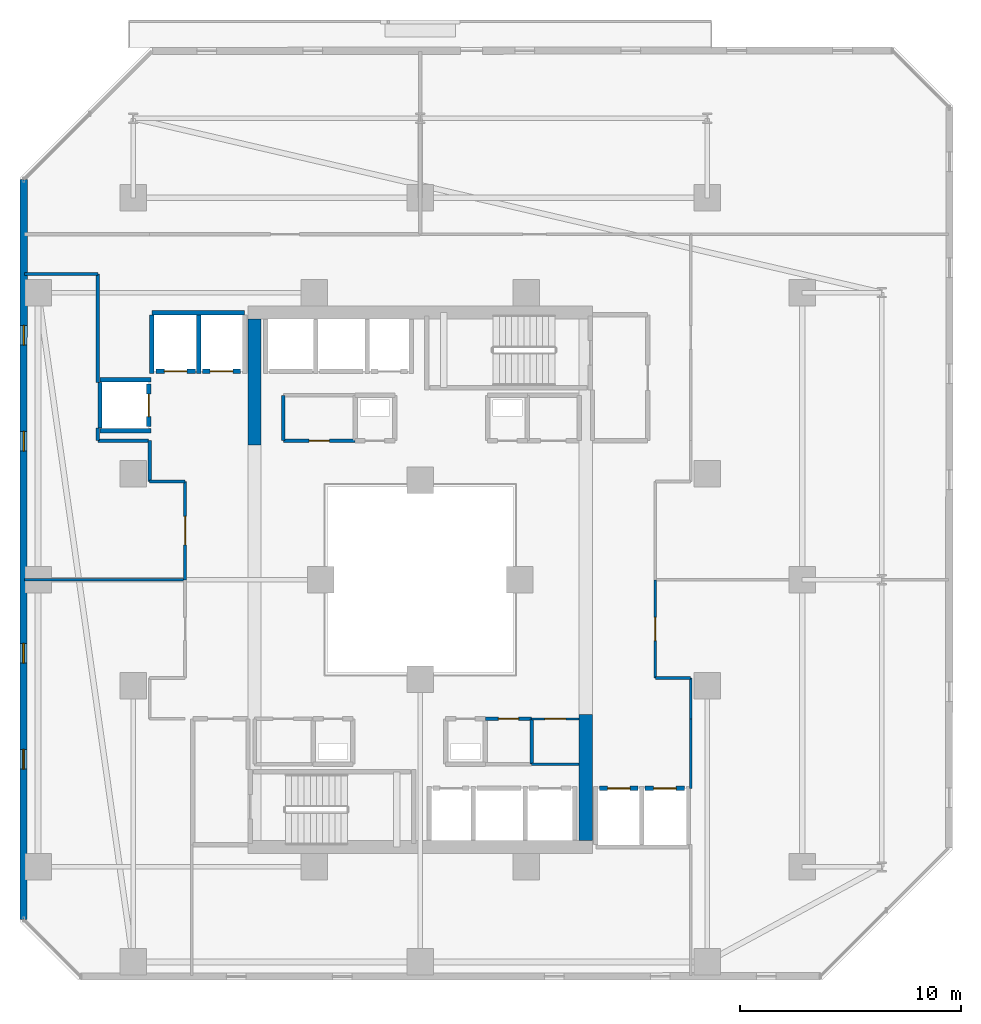
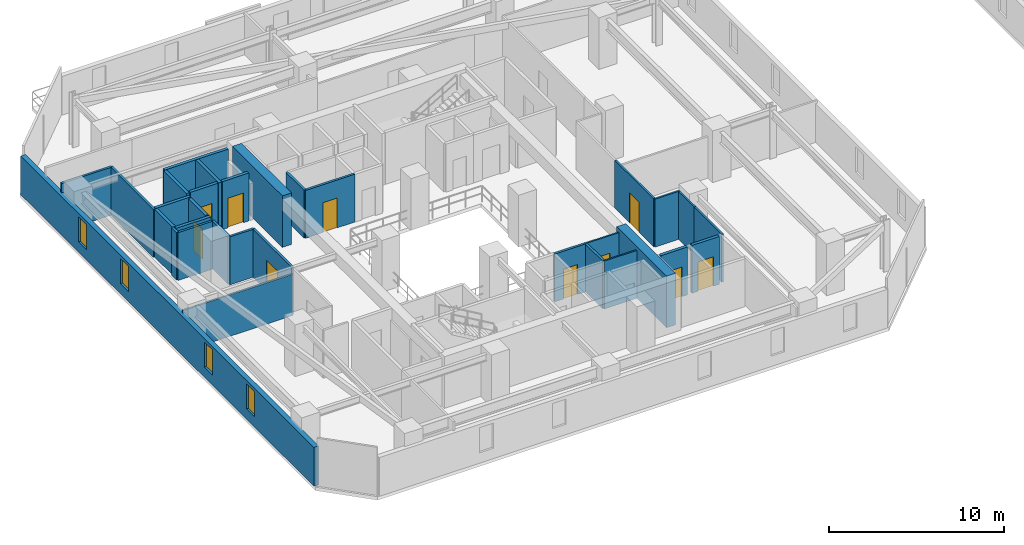
# One storey, part 17 of 30: 32 walls, 10 doors, 4 windows, 14 openings.
"""IFC4 building model written with IfcOpenShell, lengths in metres."""

from ifc_helpers import new_model, si_unit, direction, frame, frame_2d, origin, place, context, subcontext, project, spatial, rectangle, extrude, material, layer, layer_set, type_object, element, fill, save


model = new_model("IFC4")

# Units and contexts
model_context = context("Model", 3, precision=1e-05, world=origin(), true_north=direction((0.0, 1.0)))
body_context = subcontext(model_context, "Body", "Model", "MODEL_VIEW")
ifc_project = project(units=[si_unit("LENGTHUNIT", "METRE"), si_unit("AREAUNIT", "SQUARE_METRE"), si_unit("VOLUMEUNIT", "CUBIC_METRE"), si_unit("PLANEANGLEUNIT", "RADIAN"), si_unit("MASSUNIT", "GRAM", prefix="KILO")], contexts=[model_context])

# Site, building, storey
site_placement = place(None, origin())
site = spatial("IfcSite", under=ifc_project, at=site_placement, CompositionType="ELEMENT")
building_placement = place(site_placement, origin())
building = spatial("IfcBuilding", under=site, at=building_placement, Name="Thornwick Lancets Civic Towers", CompositionType="ELEMENT")
storey_placement = place(building_placement, frame((0.0, 0.0, 80.10009765625)))
storey = spatial("IfcBuildingStorey", under=building, at=storey_placement, Name="L20", CompositionType="ELEMENT", Elevation=80.10009765625)

# Wall, opening, door
ifc_material_1 = material(Name="Concrete blockwork C40/50", Category="masonry")
ifc_layer_1 = layer(ifc_material_1, 0.199951171875, Name="Concrete blockwork C40/50")
ifc_layer_set_1 = layer_set([ifc_layer_1], Name="Concrete blockwork C40/50")
wall_type_1 = type_object("IfcWallType", Name="WALL_COMP_200", PredefinedType="STANDARD", material=ifc_layer_set_1)
wall_1_placement = place(storey_placement, frame((33.6298828125, 17.550048828125, 0.0), z_axis=(0.0, 0.0, 1.0), x_axis=(1.0, 0.0, 0.0)))
wall_1 = element("IfcWall", 1, at=wall_1_placement, inside=storey, type_object=wall_type_1, Name="L20 Hoistway Front Wall PL-AL2", PredefinedType="STANDARD", context=body_context, shape_type="SweptSolid", body=[
    extrude(rectangle(XDim=1.740234375, YDim=0.199951171875, at=frame_2d((0.8701171875, 0.0))), origin(), (0.0, 0.0, 1.0), 3.33984375),
])
opening_1_placement = place(wall_1_placement, frame((0.360107421875, 0.0, 0.0)))
opening_1 = element("IfcOpeningElement", 2, at=opening_1_placement, cuts=wall_1, Name="Opening LD-PL-AL2", PredefinedType="OPENING", context=body_context, shape_type="SweptSolid", body=[
    extrude(rectangle(XDim=1.02001953125, YDim=2.06005859375, at=frame_2d((0.510009765625, 1.030029296875))), frame((0.0, 0.10986328125, 0.0), z_axis=(0.0, -1.0, 0.0), x_axis=(1.0, 0.0, 0.0)), (0.0, 0.0, 1.0), 0.219970703125),
])
ifc_material_2 = material(Name="Brushed bronze stainless steel", Category="steel")
door_type_1 = type_object("IfcDoorType", Name="DOOR_LIFT_SLIDE", OperationType="SLIDING_TO_LEFT", PredefinedType="DOOR", material=ifc_material_2)
door_1_placement = place(opening_1_placement, origin())
door_1 = element("IfcDoor", 3, at=door_1_placement, inside=storey, type_object=door_type_1, Name="L20 Sliding Lift Landing Door LD-PL-AL2", OperationType="SLIDING_TO_LEFT", OverallHeight=2.06005859375, OverallWidth=1.02001953125, PredefinedType="DOOR", context=body_context, shape_type="SweptSolid", body=[
    extrude(rectangle(XDim=1.02001953125, YDim=2.06005859375, at=frame_2d((0.510009765625, 1.030029296875))), frame((0.0, 0.02490234375, 0.0), z_axis=(0.0, -1.0, 0.0), x_axis=(1.0, 0.0, 0.0)), (0.0, 0.0, 1.0), 0.050048828125),
])
fill(opening_1, door_1)

wall_2_placement = place(storey_placement, frame((35.679931640625, 17.550048828125, 0.0), z_axis=(0.0, 0.0, 1.0), x_axis=(1.0, 0.0, 0.0)))
wall_2 = element("IfcWall", 4, at=wall_2_placement, inside=storey, type_object=wall_type_1, Name="L20 Hoistway Front Wall PL-AL3", PredefinedType="STANDARD", context=body_context, shape_type="SweptSolid", body=[
    extrude(rectangle(XDim=1.7900390625, YDim=0.199951171875, at=frame_2d((0.89501953125, 0.0))), origin(), (0.0, 0.0, 1.0), 3.33984375),
])
opening_2_placement = place(wall_2_placement, frame((0.385009765625, 0.0, 0.0)))
opening_2 = element("IfcOpeningElement", 5, at=opening_2_placement, cuts=wall_2, Name="Opening LD-PL-AL3", PredefinedType="OPENING", context=body_context, shape_type="SweptSolid", body=[
    extrude(rectangle(XDim=1.02001953125, YDim=2.06005859375, at=frame_2d((0.510009765625, 1.030029296875))), frame((0.0, 0.10986328125, 0.0), z_axis=(0.0, -1.0, 0.0), x_axis=(1.0, 0.0, 0.0)), (0.0, 0.0, 1.0), 0.219970703125),
])
door_2_placement = place(opening_2_placement, origin())
door_2 = element("IfcDoor", 6, at=door_2_placement, inside=storey, type_object=door_type_1, Name="L20 Sliding Lift Landing Door LD-PL-AL3", OperationType="SLIDING_TO_LEFT", OverallHeight=2.06005859375, OverallWidth=1.02001953125, PredefinedType="DOOR", context=body_context, shape_type="SweptSolid", body=[
    extrude(rectangle(XDim=1.02001953125, YDim=2.06005859375, at=frame_2d((0.510009765625, 1.030029296875))), frame((0.0, 0.02490234375, 0.0), z_axis=(0.0, -1.0, 0.0), x_axis=(1.0, 0.0, 0.0)), (0.0, 0.0, 1.0), 0.050048828125),
])
fill(opening_2, door_2)

wall_3_placement = place(storey_placement, frame((17.3701171875, 36.449951171875, 0.0), z_axis=(0.0, 0.0, 1.0), x_axis=(-1.0, 0.0, 0.0)))
wall_3 = element("IfcWall", 7, at=wall_3_placement, inside=storey, type_object=wall_type_1, Name="L20 Hoistway Front Wall PL-AM1", PredefinedType="STANDARD", context=body_context, shape_type="SweptSolid", body=[
    extrude(rectangle(XDim=1.740234375, YDim=0.199951171875, at=frame_2d((0.8701171875, 0.0))), origin(), (0.0, 0.0, 1.0), 3.33984375),
])
opening_3_placement = place(wall_3_placement, frame((0.360107421875, 0.0, 0.0)))
opening_3 = element("IfcOpeningElement", 8, at=opening_3_placement, cuts=wall_3, Name="Opening LD-PL-AM1", PredefinedType="OPENING", context=body_context, shape_type="SweptSolid", body=[
    extrude(rectangle(XDim=1.02001953125, YDim=2.06005859375, at=frame_2d((0.510009765625, 1.030029296875))), frame((0.0, 0.10986328125, 0.0), z_axis=(0.0, -1.0, 0.0), x_axis=(1.0, 0.0, 0.0)), (0.0, 0.0, 1.0), 0.219970703125),
])
door_3_placement = place(opening_3_placement, origin())
door_3 = element("IfcDoor", 9, at=door_3_placement, inside=storey, type_object=door_type_1, Name="L20 Sliding Lift Landing Door LD-PL-AM1", OperationType="SLIDING_TO_LEFT", OverallHeight=2.06005859375, OverallWidth=1.02001953125, PredefinedType="DOOR", context=body_context, shape_type="SweptSolid", body=[
    extrude(rectangle(XDim=1.02001953125, YDim=2.06005859375, at=frame_2d((0.510009765625, 1.030029296875))), frame((0.0, 0.02490234375, 0.0), z_axis=(0.0, -1.0, 0.0), x_axis=(1.0, 0.0, 0.0)), (0.0, 0.0, 1.0), 0.050048828125),
])
fill(opening_3, door_3)

wall_4_placement = place(storey_placement, frame((15.320068359375, 36.449951171875, 0.0), z_axis=(0.0, 0.0, 1.0), x_axis=(-1.0, 0.0, 0.0)))
wall_4 = element("IfcWall", 10, at=wall_4_placement, inside=storey, type_object=wall_type_1, Name="L20 Hoistway Front Wall PL-AM2", PredefinedType="STANDARD", context=body_context, shape_type="SweptSolid", body=[
    extrude(rectangle(XDim=1.7900390625, YDim=0.199951171875, at=frame_2d((0.89501953125, 0.0))), origin(), (0.0, 0.0, 1.0), 3.33984375),
])
opening_4_placement = place(wall_4_placement, frame((0.385009765625, 0.0, 0.0)))
opening_4 = element("IfcOpeningElement", 11, at=opening_4_placement, cuts=wall_4, Name="Opening LD-PL-AM2", PredefinedType="OPENING", context=body_context, shape_type="SweptSolid", body=[
    extrude(rectangle(XDim=1.02001953125, YDim=2.06005859375, at=frame_2d((0.510009765625, 1.030029296875))), frame((0.0, 0.10986328125, 0.0), z_axis=(0.0, -1.0, 0.0), x_axis=(1.0, 0.0, 0.0)), (0.0, 0.0, 1.0), 0.219970703125),
])
door_4_placement = place(opening_4_placement, origin())
door_4 = element("IfcDoor", 12, at=door_4_placement, inside=storey, type_object=door_type_1, Name="L20 Sliding Lift Landing Door LD-PL-AM2", OperationType="SLIDING_TO_LEFT", OverallHeight=2.06005859375, OverallWidth=1.02001953125, PredefinedType="DOOR", context=body_context, shape_type="SweptSolid", body=[
    extrude(rectangle(XDim=1.02001953125, YDim=2.06005859375, at=frame_2d((0.510009765625, 1.030029296875))), frame((0.0, 0.02490234375, 0.0), z_axis=(0.0, -1.0, 0.0), x_axis=(1.0, 0.0, 0.0)), (0.0, 0.0, 1.0), 0.050048828125),
])
fill(opening_4, door_4)

wall_5_placement = place(storey_placement, frame((13.199951171875, 33.929931640625, 0.0), z_axis=(0.0, 0.0, 1.0), x_axis=(0.0, 1.0, 0.0)))
wall_5 = element("IfcWall", 13, at=wall_5_placement, inside=storey, type_object=wall_type_1, Name="L20 Hoistway Front Wall PL-AM3", PredefinedType="STANDARD", context=body_context, shape_type="SweptSolid", body=[
    extrude(rectangle(XDim=1.940185546875, YDim=0.199951171875, at=frame_2d((0.97021484375, 0.0))), origin(), (0.0, 0.0, 1.0), 3.33984375),
])
opening_5_placement = place(wall_5_placement, frame((0.4599609375, 0.0, 0.0)))
opening_5 = element("IfcOpeningElement", 14, at=opening_5_placement, cuts=wall_5, Name="Opening LD-PL-AM3", PredefinedType="OPENING", context=body_context, shape_type="SweptSolid", body=[
    extrude(rectangle(XDim=1.02001953125, YDim=2.06005859375, at=frame_2d((0.510009765625, 1.030029296875))), frame((0.0, 0.10986328125, 0.0), z_axis=(0.0, -1.0, 0.0), x_axis=(1.0, 0.0, 0.0)), (0.0, 0.0, 1.0), 0.219970703125),
])
door_5_placement = place(opening_5_placement, origin())
door_5 = element("IfcDoor", 15, at=door_5_placement, inside=storey, type_object=door_type_1, Name="L20 Sliding Lift Landing Door LD-PL-AM3", OperationType="SLIDING_TO_LEFT", OverallHeight=2.06005859375, OverallWidth=1.02001953125, PredefinedType="DOOR", context=body_context, shape_type="SweptSolid", body=[
    extrude(rectangle(XDim=1.02001953125, YDim=2.06005859375, at=frame_2d((0.510009765625, 1.030029296875))), frame((0.0, 0.02490234375, 0.0), z_axis=(0.0, -1.0, 0.0), x_axis=(1.0, 0.0, 0.0)), (0.0, 0.0, 1.0), 0.050048828125),
])
fill(opening_5, door_5)

# Walls
wall_6_placement = place(storey_placement, frame((13.35205078125, 39.10009765625, 0.0), z_axis=(0.0, 0.0, 1.0), x_axis=(1.0, 0.0, 0.0)))
element("IfcWall", 16, at=wall_6_placement, inside=storey, type_object=wall_type_1, Name="L20 Hoistway Shaft Wall PL-AM1 N", PredefinedType="STANDARD", context=body_context, shape_type="SweptSolid", body=[
    extrude(rectangle(XDim=4.196044921875, YDim=0.199951171875, at=frame_2d((2.09814453125, 0.0))), origin(), (0.0, 0.0, 1.0), 3.33984375),
])
for number, where, z_axis, x_axis, name in (
    (17, (15.47509765625, 36.35205078125, 0.0), (0.0, 0.0, 1.0), (0.0, 1.0, 0.0), "L20 Hoistway Shaft Wall PL-AM1 W"),
    (18, (13.35009765625, 36.35205078125, 0.0), (0.0, 0.0, 1.0), (0.0, 1.0, 0.0), "L20 Hoistway Shaft Wall PL-AM2 W"),
):
    element("IfcWall", number, at=place(storey_placement, frame(where, z_axis=z_axis, x_axis=x_axis)), inside=storey, type_object=wall_type_1, Name=name, PredefinedType="STANDARD", context=body_context, shape_type="SweptSolid", body=[
        extrude(rectangle(XDim=2.635986328125, YDim=0.199951171875, at=frame_2d((1.31787109375, 0.0))), origin(), (0.0, 0.0, 1.0), 3.33984375),
    ])
for number, where, z_axis, x_axis, name in (
    (19, (11.001953125, 36.050048828125, 0.0), (0.0, 0.0, 1.0), (1.0, 0.0, 0.0), "L20 Hoistway Shaft Wall PL-AM3 N"),
    (20, (11.001953125, 33.75, 0.0), (0.0, 0.0, 1.0), (1.0, 0.0, 0.0), "L20 Hoistway Shaft Wall PL-AM3 S"),
):
    element("IfcWall", number, at=place(storey_placement, frame(where, z_axis=z_axis, x_axis=x_axis)), inside=storey, type_object=wall_type_1, Name=name, PredefinedType="STANDARD", context=body_context, shape_type="SweptSolid", body=[
        extrude(rectangle(XDim=2.296142578125, YDim=0.199951171875, at=frame_2d((1.14794921875, 0.0))), origin(), (0.0, 0.0, 1.0), 3.33984375),
    ])
wall_7_placement = place(storey_placement, frame((11.0, 33.862060546875, 0.0), z_axis=(0.0, 0.0, 1.0), x_axis=(0.0, 1.0, 0.0)))
element("IfcWall", 21, at=wall_7_placement, inside=storey, type_object=wall_type_1, Name="L20 Hoistway Shaft Wall PL-AM3 W", PredefinedType="STANDARD", context=body_context, shape_type="SweptSolid", body=[
    extrude(rectangle(XDim=2.075927734375, YDim=0.199951171875, at=frame_2d((1.0380859375, 0.0))), origin(), (0.0, 0.0, 1.0), 3.33984375),
])
ifc_material_3 = material(Name="Concrete C60/75", Category="concrete")
ifc_layer_2 = layer(ifc_material_3, 0.60009765625, Name="Concrete C60/75")
ifc_layer_set_2 = layer_set([ifc_layer_2], Name="Concrete C60/75")
wall_type_2 = type_object("IfcWallType", Name="WALL_CORE_600", PredefinedType="SHEAR", material=ifc_layer_set_2)
for number, where, z_axis, x_axis, name in (
    (22, (33.0, 15.199951171875, 0.0), (0.0, 0.0, 1.0), (0.0, 1.0, 0.0), "L20 Split Core A1 Shear Wall E"),
    (23, (18.0, 33.10009765625, 0.0), (0.0, 0.0, 1.0), (0.0, 1.0, 0.0), "L20 Split Core A2 Shear Wall W"),
):
    element("IfcWall", number, at=place(storey_placement, frame(where, z_axis=z_axis, x_axis=x_axis)), inside=storey, type_object=wall_type_2, Name=name, PredefinedType="SHEAR", context=body_context, shape_type="SweptSolid", body=[
        extrude(rectangle(XDim=5.699951171875, YDim=0.60009765625, at=frame_2d((2.85009765625, 0.0))), origin(), (0.0, 0.0, 1.0), 3.599853515625),
    ])

# Wall, openings, windows
ifc_material_4 = material(Name="Insulated buff terracotta rainscreen on concrete C40/50", Category="masonry")
ifc_layer_3 = layer(ifc_material_4, 0.320068359375, Name="Insulated buff terracotta rainscreen on concrete C40/50")
ifc_layer_set_3 = layer_set([ifc_layer_3], Name="Insulated buff terracotta rainscreen on concrete C40/50")
wall_type_3 = type_object("IfcWallType", Name="WALL_EXT_TERRA_320", PredefinedType="STANDARD", material=ifc_layer_set_3)
wall_8_placement = place(storey_placement, frame((7.5458984375, 45.12158203125, 0.0), z_axis=(0.0, 0.0, 1.0), x_axis=(-0.000313347115, -0.999999950907, 0.0)))
wall_8 = element("IfcWall", 24, at=wall_8_placement, inside=storey, type_object=wall_type_3, Name="L20 Tower A Terracotta Facade Wall E6", PredefinedType="STANDARD", context=body_context, shape_type="SweptSolid", body=[
    extrude(rectangle(XDim=33.5029296875, YDim=0.320068359375, at=frame_2d((16.75146484375, 0.0))), origin(), (0.0, 0.0, 1.0), 2.699951171875),
])
opening_6_placement = place(wall_8_placement, frame((6.60009765625, 0.0, 0.719970703125)))
opening_6 = element("IfcOpeningElement", 25, at=opening_6_placement, cuts=wall_8, Name="Opening WL-01", PredefinedType="OPENING", context=body_context, shape_type="SweptSolid", body=[
    extrude(rectangle(XDim=0.89990234375, YDim=1.75, at=frame_2d((0.449951171875, 0.875))), frame((0.0, 0.169921875, 0.0), z_axis=(0.0, -1.0, 0.0), x_axis=(1.0, 0.0, 0.0)), (0.0, 0.0, 1.0), 0.340087890625),
])
opening_7_placement = place(wall_8_placement, frame((11.39990234375, 0.0, 0.719970703125)))
opening_7 = element("IfcOpeningElement", 26, at=opening_7_placement, cuts=wall_8, Name="Opening WL-01", PredefinedType="OPENING", context=body_context, shape_type="SweptSolid", body=[
    extrude(rectangle(XDim=0.89990234375, YDim=1.75, at=frame_2d((0.449951171875, 0.875))), frame((0.0, 0.169921875, 0.0), z_axis=(0.0, -1.0, 0.0), x_axis=(1.0, 0.0, 0.0)), (0.0, 0.0, 1.0), 0.340087890625),
])
opening_8_placement = place(wall_8_placement, frame((21.0, 0.0, 0.719970703125)))
opening_8 = element("IfcOpeningElement", 27, at=opening_8_placement, cuts=wall_8, Name="Opening WL-01", PredefinedType="OPENING", context=body_context, shape_type="SweptSolid", body=[
    extrude(rectangle(XDim=0.89990234375, YDim=1.75, at=frame_2d((0.449951171875, 0.875))), frame((0.0, 0.169921875, 0.0), z_axis=(0.0, -1.0, 0.0), x_axis=(1.0, 0.0, 0.0)), (0.0, 0.0, 1.0), 0.340087890625),
])
opening_9_placement = place(wall_8_placement, frame((25.800048828125, 0.0, 0.719970703125)))
opening_9 = element("IfcOpeningElement", 28, at=opening_9_placement, cuts=wall_8, Name="Opening WL-01", PredefinedType="OPENING", context=body_context, shape_type="SweptSolid", body=[
    extrude(rectangle(XDim=0.89990234375, YDim=1.75, at=frame_2d((0.449951171875, 0.875))), frame((0.0, 0.169921875, 0.0), z_axis=(0.0, -1.0, 0.0), x_axis=(1.0, 0.0, 0.0)), (0.0, 0.0, 1.0), 0.340087890625),
])
ifc_material_5 = material(Name="Clear low-e double glazing in bronze frame", Category="glass")
window_type = type_object("IfcWindowType", Name="WIN_LANCET_900", PartitioningType="SINGLE_PANEL", PredefinedType="WINDOW", material=ifc_material_5)
window_1_placement = place(opening_6_placement, origin())
window_1 = element("IfcWindow", 29, at=window_1_placement, inside=storey, type_object=window_type, Name="L20 Tower A Staggered Lancet Window E6-1", OverallHeight=1.75, OverallWidth=0.89990234375, PartitioningType="SINGLE_PANEL", PredefinedType="WINDOW", context=body_context, shape_type="SweptSolid", body=[
    extrude(rectangle(XDim=0.89990234375, YDim=1.75, at=frame_2d((0.449951171875, 0.875))), frame((0.0, 0.030029296875, 0.0), z_axis=(0.0, -1.0, 0.0), x_axis=(1.0, 0.0, 0.0)), (0.0, 0.0, 1.0), 0.06005859375),
])
fill(opening_6, window_1)
window_2_placement = place(opening_7_placement, origin())
window_2 = element("IfcWindow", 30, at=window_2_placement, inside=storey, type_object=window_type, Name="L20 Tower A Staggered Lancet Window E6-2", OverallHeight=1.75, OverallWidth=0.89990234375, PartitioningType="SINGLE_PANEL", PredefinedType="WINDOW", context=body_context, shape_type="SweptSolid", body=[
    extrude(rectangle(XDim=0.89990234375, YDim=1.75, at=frame_2d((0.449951171875, 0.875))), frame((0.0, 0.030029296875, 0.0), z_axis=(0.0, -1.0, 0.0), x_axis=(1.0, 0.0, 0.0)), (0.0, 0.0, 1.0), 0.06005859375),
])
fill(opening_7, window_2)
window_3_placement = place(opening_8_placement, origin())
window_3 = element("IfcWindow", 31, at=window_3_placement, inside=storey, type_object=window_type, Name="L20 Tower A Staggered Lancet Window E6-3", OverallHeight=1.75, OverallWidth=0.89990234375, PartitioningType="SINGLE_PANEL", PredefinedType="WINDOW", context=body_context, shape_type="SweptSolid", body=[
    extrude(rectangle(XDim=0.89990234375, YDim=1.75, at=frame_2d((0.449951171875, 0.875))), frame((0.0, 0.030029296875, 0.0), z_axis=(0.0, -1.0, 0.0), x_axis=(1.0, 0.0, 0.0)), (0.0, 0.0, 1.0), 0.06005859375),
])
fill(opening_8, window_3)
window_4_placement = place(opening_9_placement, origin())
window_4 = element("IfcWindow", 32, at=window_4_placement, inside=storey, type_object=window_type, Name="L20 Tower A Staggered Lancet Window E6-4", OverallHeight=1.75, OverallWidth=0.89990234375, PartitioningType="SINGLE_PANEL", PredefinedType="WINDOW", context=body_context, shape_type="SweptSolid", body=[
    extrude(rectangle(XDim=0.89990234375, YDim=1.75, at=frame_2d((0.449951171875, 0.875))), frame((0.0, 0.030029296875, 0.0), z_axis=(0.0, -1.0, 0.0), x_axis=(1.0, 0.0, 0.0)), (0.0, 0.0, 1.0), 0.06005859375),
])
fill(opening_9, window_4)

# Wall
ifc_material_6 = material(Name="Lightweight cellular office partition")
ifc_layer_4 = layer(ifc_material_6, 0.10009765625, Name="Lightweight cellular office partition")
ifc_layer_set_4 = layer_set([ifc_layer_4], Name="Lightweight cellular office partition")
wall_type_4 = type_object("IfcWallType", Name="WALL_PART_100", PredefinedType="PARTITIONING", material=ifc_layer_set_4)
wall_9_placement = place(storey_placement, frame((32.699951171875, 18.64990234375, 0.0), z_axis=(0.0, 0.0, 1.0), x_axis=(-1.0, 0.0, 0.0)))
element("IfcWall", 33, at=wall_9_placement, inside=storey, type_object=wall_type_4, Name="L20 Partition L20-A-CLN E2", PredefinedType="PARTITIONING", context=body_context, shape_type="SweptSolid", body=[
    extrude(rectangle(XDim=2.14990234375, YDim=0.10009765625, at=frame_2d((1.074951171875, 0.0))), origin(), (0.0, 0.0, 1.0), 3.33984375),
])

# Wall, opening, door
wall_10_placement = place(storey_placement, frame((30.550048828125, 20.699951171875, 0.0), z_axis=(0.0, 0.0, 1.0), x_axis=(1.0, 0.0, 0.0)))
wall_10 = element("IfcWall", 34, at=wall_10_placement, inside=storey, type_object=wall_type_4, Name="L20 Partition L20-A-CLN E4", PredefinedType="PARTITIONING", context=body_context, shape_type="SweptSolid", body=[
    extrude(rectangle(XDim=2.14990234375, YDim=0.10009765625, at=frame_2d((1.074951171875, 0.0))), origin(), (0.0, 0.0, 1.0), 3.33984375),
])
opening_10_placement = place(wall_10_placement, frame((0.60009765625, 0.0, 0.0)))
opening_10 = element("IfcOpeningElement", 35, at=opening_10_placement, cuts=wall_10, Name="Opening D-L20-0939", PredefinedType="OPENING", context=body_context, shape_type="SweptSolid", body=[
    extrude(rectangle(XDim=0.949951171875, YDim=2.10009765625, at=frame_2d((0.47509765625, 1.050048828125))), frame((0.0, 0.06005859375, 0.0), z_axis=(0.0, -1.0, 0.0), x_axis=(1.0, 0.0, 0.0)), (0.0, 0.0, 1.0), 0.1201171875),
])
ifc_material_7 = material(Name="European oak acoustic doorset")
door_type_2 = type_object("IfcDoorType", Name="DOOR_OFFICE_950", OperationType="NOTDEFINED", PredefinedType="DOOR", material=ifc_material_7)
door_6_placement = place(opening_10_placement, origin())
door_6 = element("IfcDoor", 36, at=door_6_placement, inside=storey, type_object=door_type_2, Name="L20 Tower A Cleaners Store Door", OperationType="SINGLE_SWING_RIGHT", OverallHeight=2.10009765625, OverallWidth=0.949951171875, PredefinedType="DOOR", context=body_context, shape_type="SweptSolid", body=[
    extrude(rectangle(XDim=0.949951171875, YDim=2.10009765625, at=frame_2d((0.47509765625, 1.050048828125))), frame((0.0, 0.02490234375, 0.0), z_axis=(0.0, -1.0, 0.0), x_axis=(1.0, 0.0, 0.0)), (0.0, 0.0, 1.0), 0.050048828125),
])
fill(opening_10, door_6)

# Walls
ifc_material_8 = material(Name="Acoustic gypsum board partition")
ifc_layer_5 = layer(ifc_material_8, 0.1201171875, Name="Acoustic gypsum board partition")
ifc_layer_set_5 = layer_set([ifc_layer_5], Name="Acoustic gypsum board partition")
wall_type_5 = type_object("IfcWallType", Name="WALL_PART_120", PredefinedType="PARTITIONING", material=ifc_layer_set_5)
wall_11_placement = place(storey_placement, frame((7.580078125, 27.0, 0.0), z_axis=(0.0, 0.0, 1.0), x_axis=(1.0, 0.0, 0.0)))
element("IfcWall", 37, at=wall_11_placement, inside=storey, type_object=wall_type_5, Name="L20 Partition L20-A-W1 E2", PredefinedType="PARTITIONING", context=body_context, shape_type="SweptSolid", body=[
    extrude(rectangle(XDim=7.27001953125, YDim=0.1201171875, at=frame_2d((3.635009765625, 0.0))), origin(), (0.0, 0.0, 1.0), 2.881591796875),
])
wall_12_placement = place(storey_placement, frame((37.75, 17.550048828125, 0.0), z_axis=(0.0, 0.0, 1.0), x_axis=(0.0, 1.0, 0.0)))
element("IfcWall", 38, at=wall_12_placement, inside=storey, type_object=wall_type_5, Name="L20 Partition L20-A-E1 E1", PredefinedType="PARTITIONING", context=body_context, shape_type="SweptSolid", body=[
    extrude(rectangle(XDim=3.14990234375, YDim=0.1201171875, at=frame_2d((1.574951171875, 0.0))), origin(), (0.0, 0.0, 1.0), 3.33984375),
])
wall_13_placement = place(storey_placement, frame((37.75, 20.699951171875, 0.0), z_axis=(0.0, 0.0, 1.0), x_axis=(0.0, 1.0, 0.0)))
element("IfcWall", 39, at=wall_13_placement, inside=storey, type_object=wall_type_5, Name="L20 Partition L20-A-E1 E2", PredefinedType="PARTITIONING", context=body_context, shape_type="SweptSolid", body=[
    extrude(rectangle(XDim=1.85009765625, YDim=0.1201171875, at=frame_2d((0.925048828125, 0.0))), origin(), (0.0, 0.0, 1.0), 3.33984375),
])
wall_14_placement = place(storey_placement, frame((37.75, 22.550048828125, 0.0), z_axis=(0.0, 0.0, 1.0), x_axis=(-1.0, 0.0, 0.0)))
element("IfcWall", 40, at=wall_14_placement, inside=storey, type_object=wall_type_5, Name="L20 Partition L20-A-E1 E3", PredefinedType="PARTITIONING", context=body_context, shape_type="SweptSolid", body=[
    extrude(rectangle(XDim=1.60009765625, YDim=0.1201171875, at=frame_2d((0.800048828125, 0.0))), origin(), (0.0, 0.0, 1.0), 3.33984375),
])

# Wall, opening, door
wall_15_placement = place(storey_placement, frame((36.14990234375, 22.550048828125, 0.0), z_axis=(0.0, 0.0, 1.0), x_axis=(0.0, 1.0, 0.0)))
wall_15 = element("IfcWall", 41, at=wall_15_placement, inside=storey, type_object=wall_type_5, Name="L20 Partition L20-A-E1 E4", PredefinedType="PARTITIONING", context=body_context, shape_type="SweptSolid", body=[
    extrude(rectangle(XDim=4.449951171875, YDim=0.1201171875, at=frame_2d((2.22509765625, 0.0))), origin(), (0.0, 0.0, 1.0), 3.33984375),
])
opening_11_placement = place(wall_15_placement, frame((1.699951171875, 0.0, 0.0)))
opening_11 = element("IfcOpeningElement", 42, at=opening_11_placement, cuts=wall_15, Name="Opening D-L20-0955", PredefinedType="OPENING", context=body_context, shape_type="SweptSolid", body=[
    extrude(rectangle(XDim=1.050048828125, YDim=2.10009765625, at=frame_2d((0.52490234375, 1.050048828125))), frame((0.0, 0.070068359375, 0.0), z_axis=(0.0, -1.0, 0.0), x_axis=(1.0, 0.0, 0.0)), (0.0, 0.0, 1.0), 0.14013671875),
])
ifc_material_9 = material(Name="Glazed European oak executive doorset")
door_type_3 = type_object("IfcDoorType", Name="DOOR_OFFICE_1050", OperationType="NOTDEFINED", PredefinedType="DOOR", material=ifc_material_9)
door_7_placement = place(opening_11_placement, origin())
door_7 = element("IfcDoor", 43, at=door_7_placement, inside=storey, type_object=door_type_3, Name="L20 Tower A Secretariat Open Office E1 Door", OperationType="SINGLE_SWING_RIGHT", OverallHeight=2.10009765625, OverallWidth=1.050048828125, PredefinedType="DOOR", context=body_context, shape_type="SweptSolid", body=[
    extrude(rectangle(XDim=1.050048828125, YDim=2.10009765625, at=frame_2d((0.52490234375, 1.050048828125))), frame((0.0, 0.02490234375, 0.0), z_axis=(0.0, -1.0, 0.0), x_axis=(1.0, 0.0, 0.0)), (0.0, 0.0, 1.0), 0.050048828125),
])
fill(opening_11, door_7)

# Wall
ifc_material_10 = material(Name="Twin-stud acoustic gypsum board")
ifc_layer_6 = layer(ifc_material_10, 0.14990234375, Name="Twin-stud acoustic gypsum board")
ifc_layer_set_6 = layer_set([ifc_layer_6], Name="Twin-stud acoustic gypsum board")
wall_type_6 = type_object("IfcWallType", Name="WALL_PART_150", PredefinedType="PARTITIONING", material=ifc_layer_set_6)
wall_16_placement = place(storey_placement, frame((30.550048828125, 20.699951171875, 0.0), z_axis=(0.0, 0.0, 1.0), x_axis=(0.0, -1.0, 0.0)))
element("IfcWall", 44, at=wall_16_placement, inside=storey, type_object=wall_type_6, Name="L20 Partition L20-A-MWC E1", PredefinedType="PARTITIONING", context=body_context, shape_type="SweptSolid", body=[
    extrude(rectangle(XDim=2.050048828125, YDim=0.14990234375, at=frame_2d((1.02490234375, 0.0))), origin(), (0.0, 0.0, 1.0), 3.33984375),
])

# Wall, opening, door
wall_17_placement = place(storey_placement, frame((28.449951171875, 20.699951171875, 0.0), z_axis=(0.0, 0.0, 1.0), x_axis=(1.0, 0.0, 0.0)))
wall_17 = element("IfcWall", 45, at=wall_17_placement, inside=storey, type_object=wall_type_6, Name="L20 Partition L20-A-MWC E4", PredefinedType="PARTITIONING", context=body_context, shape_type="SweptSolid", body=[
    extrude(rectangle(XDim=2.10009765625, YDim=0.14990234375, at=frame_2d((1.050048828125, 0.0))), origin(), (0.0, 0.0, 1.0), 3.33984375),
])
opening_12_placement = place(wall_17_placement, frame((0.590087890625, 0.0, 0.0)))
opening_12 = element("IfcOpeningElement", 46, at=opening_12_placement, cuts=wall_17, Name="Opening D-L20-0938", PredefinedType="OPENING", context=body_context, shape_type="SweptSolid", body=[
    extrude(rectangle(XDim=0.919921875, YDim=2.080078125, at=frame_2d((0.4599609375, 1.0400390625))), frame((0.0, 0.0849609375, 0.0), z_axis=(0.0, -1.0, 0.0), x_axis=(1.0, 0.0, 0.0)), (0.0, 0.0, 1.0), 0.169921875),
])
ifc_material_11 = material(Name="Moisture-resistant oak doorset")
door_type_4 = type_object("IfcDoorType", Name="DOOR_WC_900", OperationType="NOTDEFINED", PredefinedType="DOOR", material=ifc_material_11)
door_8_placement = place(opening_12_placement, origin())
door_8 = element("IfcDoor", 47, at=door_8_placement, inside=storey, type_object=door_type_4, Name="L20 Tower A Male WC Door", OperationType="SINGLE_SWING_LEFT", OverallHeight=2.080078125, OverallWidth=0.919921875, PredefinedType="DOOR", context=body_context, shape_type="SweptSolid", body=[
    extrude(rectangle(XDim=0.919921875, YDim=2.080078125, at=frame_2d((0.4599609375, 1.0400390625))), frame((0.0, 0.02490234375, 0.0), z_axis=(0.0, -1.0, 0.0), x_axis=(1.0, 0.0, 0.0)), (0.0, 0.0, 1.0), 0.050048828125),
])
fill(opening_12, door_8)

# Wall
wall_18_placement = place(storey_placement, frame((19.300048828125, 33.300048828125, 0.0), z_axis=(0.0, 0.0, 1.0), x_axis=(0.0, 1.0, 0.0)))
element("IfcWall", 48, at=wall_18_placement, inside=storey, type_object=wall_type_6, Name="L20 Partition L20-A-FWC E1", PredefinedType="PARTITIONING", context=body_context, shape_type="SweptSolid", body=[
    extrude(rectangle(XDim=2.050048828125, YDim=0.14990234375, at=frame_2d((1.02490234375, 0.0))), origin(), (0.0, 0.0, 1.0), 3.33984375),
])

# Wall, opening, door
wall_19_placement = place(storey_placement, frame((22.550048828125, 33.300048828125, 0.0), z_axis=(0.0, 0.0, 1.0), x_axis=(-1.0, 0.0, 0.0)))
wall_19 = element("IfcWall", 49, at=wall_19_placement, inside=storey, type_object=wall_type_6, Name="L20 Partition L20-A-FWC E4", PredefinedType="PARTITIONING", context=body_context, shape_type="SweptSolid", body=[
    extrude(rectangle(XDim=3.25, YDim=0.14990234375, at=frame_2d((1.625, 0.0))), origin(), (0.0, 0.0, 1.0), 3.33984375),
])
opening_13_placement = place(wall_19_placement, frame((1.1650390625, 0.0, 0.0)))
opening_13 = element("IfcOpeningElement", 50, at=opening_13_placement, cuts=wall_19, Name="Opening D-L20-0940", PredefinedType="OPENING", context=body_context, shape_type="SweptSolid", body=[
    extrude(rectangle(XDim=0.919921875, YDim=2.080078125, at=frame_2d((0.4599609375, 1.0400390625))), frame((0.0, 0.0849609375, 0.0), z_axis=(0.0, -1.0, 0.0), x_axis=(1.0, 0.0, 0.0)), (0.0, 0.0, 1.0), 0.169921875),
])
door_9_placement = place(opening_13_placement, origin())
door_9 = element("IfcDoor", 51, at=door_9_placement, inside=storey, type_object=door_type_4, Name="L20 Tower A Female WC Door", OperationType="SINGLE_SWING_LEFT", OverallHeight=2.080078125, OverallWidth=0.919921875, PredefinedType="DOOR", context=body_context, shape_type="SweptSolid", body=[
    extrude(rectangle(XDim=0.919921875, YDim=2.080078125, at=frame_2d((0.4599609375, 1.0400390625))), frame((0.0, 0.02490234375, 0.0), z_axis=(0.0, -1.0, 0.0), x_axis=(1.0, 0.0, 0.0)), (0.0, 0.0, 1.0), 0.050048828125),
])
fill(opening_13, door_9)

# Walls
wall_20_placement = place(storey_placement, frame((10.89990234375, 33.300048828125, 0.0), z_axis=(0.0, 0.0, 1.0), x_axis=(1.0, 0.0, 0.0)))
element("IfcWall", 52, at=wall_20_placement, inside=storey, type_object=wall_type_6, Name="L20 Partition L20-A-W2 E1", PredefinedType="PARTITIONING", context=body_context, shape_type="SweptSolid", body=[
    extrude(rectangle(XDim=2.300048828125, YDim=0.14990234375, at=frame_2d((1.14990234375, 0.0))), origin(), (0.0, 0.0, 1.0), 3.33984375),
])
wall_21_placement = place(storey_placement, frame((13.25, 33.300048828125, 0.0), z_axis=(0.0, 0.0, 1.0), x_axis=(0.0, -1.0, 0.0)))
element("IfcWall", 53, at=wall_21_placement, inside=storey, type_object=wall_type_6, Name="L20 Partition L20-A-W2 E3", PredefinedType="PARTITIONING", context=body_context, shape_type="SweptSolid", body=[
    extrude(rectangle(XDim=1.85009765625, YDim=0.14990234375, at=frame_2d((0.925048828125, 0.0))), origin(), (0.0, 0.0, 1.0), 3.33984375),
])
wall_22_placement = place(storey_placement, frame((13.25, 31.449951171875, 0.0), z_axis=(0.0, 0.0, 1.0), x_axis=(1.0, 0.0, 0.0)))
element("IfcWall", 54, at=wall_22_placement, inside=storey, type_object=wall_type_6, Name="L20 Partition L20-A-W2 E4", PredefinedType="PARTITIONING", context=body_context, shape_type="SweptSolid", body=[
    extrude(rectangle(XDim=1.60009765625, YDim=0.14990234375, at=frame_2d((0.800048828125, 0.0))), origin(), (0.0, 0.0, 1.0), 3.33984375),
])

# Wall, opening, door
wall_23_placement = place(storey_placement, frame((14.85009765625, 31.449951171875, 0.0), z_axis=(0.0, 0.0, 1.0), x_axis=(0.0, -1.0, 0.0)))
wall_23 = element("IfcWall", 55, at=wall_23_placement, inside=storey, type_object=wall_type_6, Name="L20 Partition L20-A-W2 E5", PredefinedType="PARTITIONING", context=body_context, shape_type="SweptSolid", body=[
    extrude(rectangle(XDim=4.449951171875, YDim=0.14990234375, at=frame_2d((2.22509765625, 0.0))), origin(), (0.0, 0.0, 1.0), 3.33984375),
])
opening_14_placement = place(wall_23_placement, frame((1.574951171875, 0.0, 0.0)))
opening_14 = element("IfcOpeningElement", 56, at=opening_14_placement, cuts=wall_23, Name="Opening D-L20-0954", PredefinedType="OPENING", context=body_context, shape_type="SweptSolid", body=[
    extrude(rectangle(XDim=1.300048828125, YDim=2.1201171875, at=frame_2d((0.64990234375, 1.06005859375))), frame((0.0, 0.0849609375, 0.0), z_axis=(0.0, -1.0, 0.0), x_axis=(1.0, 0.0, 0.0)), (0.0, 0.0, 1.0), 0.169921875),
])
ifc_material_12 = material(Name="Acoustic oak leaf-and-a-half doorset")
door_type_5 = type_object("IfcDoorType", Name="DOOR_MEET_1300", OperationType="DOUBLE_DOOR_SINGLE_SWING", PredefinedType="DOOR", material=ifc_material_12)
door_10_placement = place(opening_14_placement, origin())
door_10 = element("IfcDoor", 57, at=door_10_placement, inside=storey, type_object=door_type_5, Name="L20 Tower A Policy Briefing Room W2 Door", OperationType="DOUBLE_DOOR_SINGLE_SWING", OverallHeight=2.1201171875, OverallWidth=1.300048828125, PredefinedType="DOOR", context=body_context, shape_type="SweptSolid", body=[
    extrude(rectangle(XDim=1.300048828125, YDim=2.1201171875, at=frame_2d((0.64990234375, 1.06005859375))), frame((0.0, 0.02490234375, 0.0), z_axis=(0.0, -1.0, 0.0), x_axis=(1.0, 0.0, 0.0)), (0.0, 0.0, 1.0), 0.050048828125),
])
fill(opening_14, door_10)

# Walls
wall_24_placement = place(storey_placement, frame((7.580078125, 40.85009765625, 0.0), z_axis=(0.0, 0.0, 1.0), x_axis=(1.0, 0.0, 0.0)))
element("IfcWall", 58, at=wall_24_placement, inside=storey, type_object=wall_type_6, Name="L20 Partition L20-A-W2 E8", PredefinedType="PARTITIONING", context=body_context, shape_type="SweptSolid", body=[
    extrude(rectangle(XDim=3.31982421875, YDim=0.14990234375, at=frame_2d((1.659912109375, 0.0))), origin(), (0.0, 0.0, 1.0), 3.33984375),
])
wall_25_placement = place(storey_placement, frame((10.89990234375, 40.85009765625, 0.0), z_axis=(0.0, 0.0, 1.0), x_axis=(0.0, -1.0, 0.0)))
element("IfcWall", 59, at=wall_25_placement, inside=storey, type_object=wall_type_6, Name="L20 Partition L20-A-W2 E9", PredefinedType="PARTITIONING", context=body_context, shape_type="SweptSolid", body=[
    extrude(rectangle(XDim=4.912109375, YDim=0.14990234375, at=frame_2d((2.4560546875, 0.0))), origin(), (0.0, 0.0, 1.0), 3.33984375),
])
wall_26_placement = place(storey_placement, frame((10.89990234375, 33.862060546875, 0.0), z_axis=(0.0, 0.0, 1.0), x_axis=(0.0, -1.0, 0.0)))
element("IfcWall", 60, at=wall_26_placement, inside=storey, type_object=wall_type_6, Name="L20 Partition L20-A-W2 E9", PredefinedType="PARTITIONING", context=body_context, shape_type="SweptSolid", body=[
    extrude(rectangle(XDim=0.56201171875, YDim=0.14990234375, at=frame_2d((0.281005859375, 0.0))), origin(), (0.0, 0.0, 1.0), 3.33984375),
])

save(model, "model.ifc")
